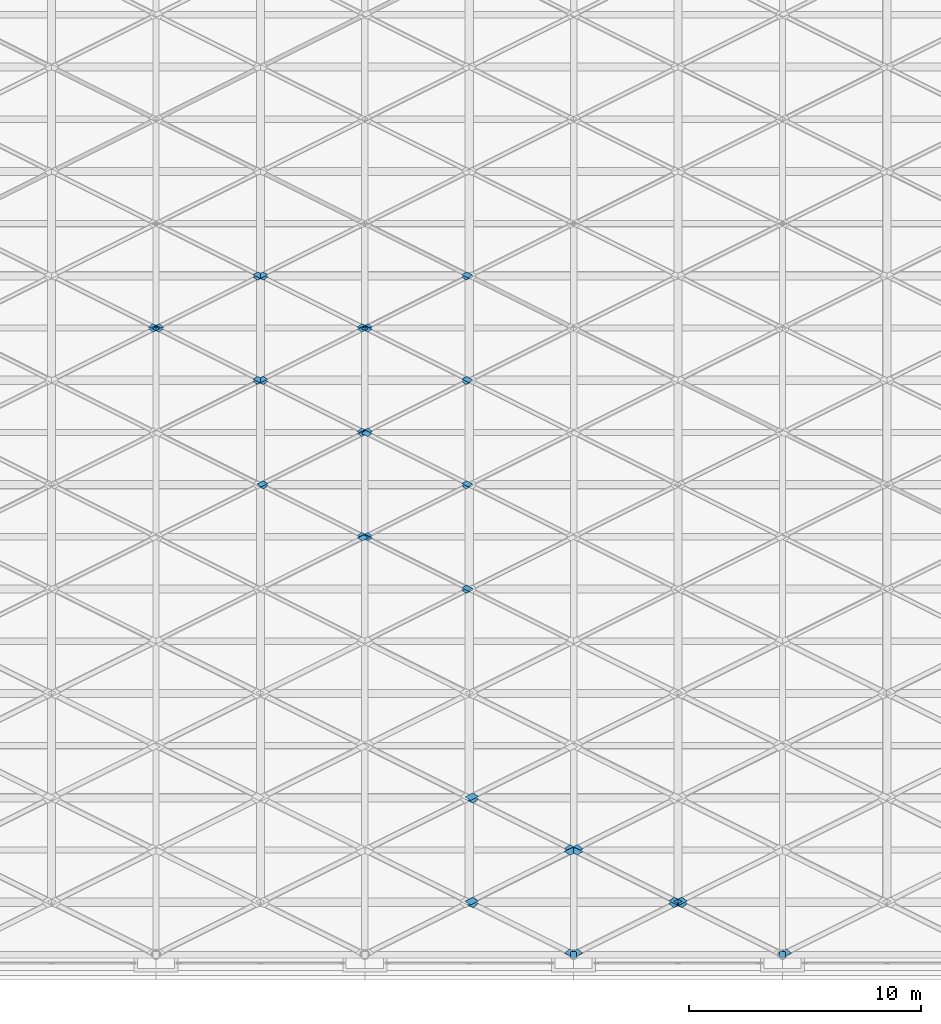
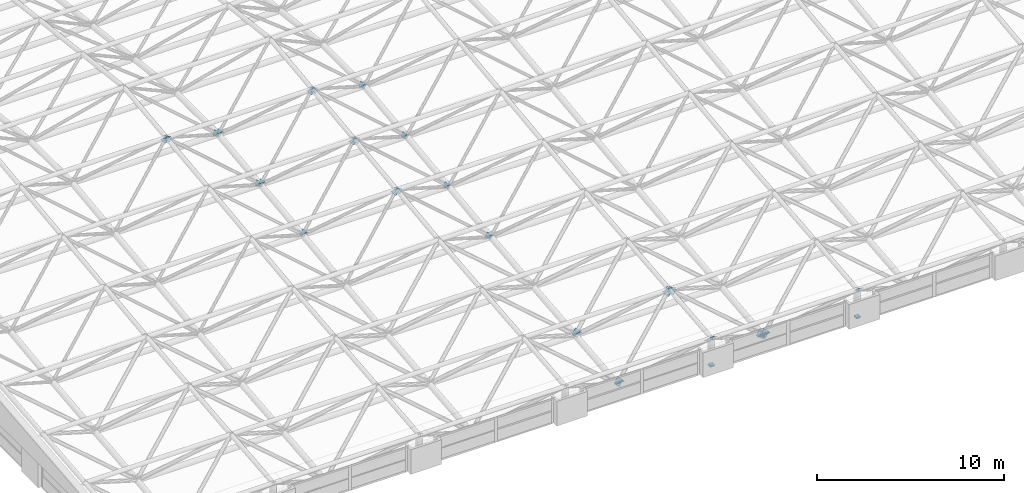
# One storey, part 30 of 53: 51 discrete accessories.
"""IFC4 building model written with IfcOpenShell, lengths in metres."""

from ifc_helpers import new_model, si_unit, direction, frame, origin, origin_2d, place, context, subcontext, project, spatial, polyline, rectangle, outline, extrude, material, layer, layer_set, type_object, element, save


model = new_model("IFC4")

# Units and contexts
model_context = context("Model", 3, precision=1e-05, world=origin(), true_north=direction((0.0, 1.0)))
body_context = subcontext(model_context, "Body", "Model", "MODEL_VIEW")
ifc_project = project(units=[si_unit("LENGTHUNIT", "METRE"), si_unit("AREAUNIT", "SQUARE_METRE"), si_unit("VOLUMEUNIT", "CUBIC_METRE"), si_unit("PLANEANGLEUNIT", "RADIAN"), si_unit("MASSUNIT", "GRAM", prefix="KILO")], contexts=[model_context])

# Site, building, storey
site_placement = place(None, origin())
site = spatial("IfcSite", under=ifc_project, at=site_placement, CompositionType="ELEMENT")
building_placement = place(site_placement, origin())
building = spatial("IfcBuilding", under=site, at=building_placement, Name="Aravalli Gate Trade Fair Centre", CompositionType="ELEMENT")
storey_placement = place(building_placement, frame((0.0, 0.0, 25.199951171875)))
storey = spatial("IfcBuildingStorey", under=building, at=storey_placement, Name="ROOF LEVEL 2", CompositionType="ELEMENT", Elevation=25.199951171875)

# Discrete accessories
ifc_material = material(Name="Steel E350", Category="steel")
discrete_accessory_type_1 = type_object("IfcDiscreteAccessoryType", Name="Bearing shoe fixed", PredefinedType="BRACKET", material=ifc_material)
discrete_accessory_1_placement = place(storey_placement, frame((42.0, 46.0, 0.0), z_axis=(0.0, 0.0, 1.0), x_axis=(1.0, 0.0, 0.0)))
element("IfcDiscreteAccessory", 1, at=discrete_accessory_1_placement, inside=storey, type_object=discrete_accessory_type_1, Name="Bearing shoe A5 (fixed)", PredefinedType="BRACKET", context=body_context, shape_type="SweptSolid", body=[
    extrude(rectangle(XDim=0.260009765625, YDim=0.260009765625, at=origin_2d()), origin(), (0.0, 0.0, 1.0), 0.10009765625),
])
discrete_accessory_type_2 = type_object("IfcDiscreteAccessoryType", Name="Bearing shoe slotted at the movement joint", PredefinedType="BRACKET", material=ifc_material)
discrete_accessory_2_placement = place(storey_placement, frame((51.0, 46.0, 0.0), z_axis=(0.0, 0.0, 1.0), x_axis=(1.0, 0.0, 0.0)))
element("IfcDiscreteAccessory", 2, at=discrete_accessory_2_placement, inside=storey, type_object=discrete_accessory_type_2, Name="Bearing shoe A6 (slotted)", PredefinedType="BRACKET", context=body_context, shape_type="SweptSolid", body=[
    extrude(rectangle(XDim=0.260009765625, YDim=0.260009765625, at=origin_2d()), origin(), (0.0, 0.0, 1.0), 0.10009765625),
])
ifc_layer_1 = layer(ifc_material, 0.011962890625)
ifc_layer_set_1 = layer_set([ifc_layer_1], Name="Steel E350")
discrete_accessory_type_3 = type_object("IfcDiscreteAccessoryType", Name="Gusset plate 291 x 291 x 12", PredefinedType="USERDEFINED", material=ifc_layer_set_1)
discrete_accessory_3_placement = place(storey_placement, frame((37.181884765625, 61.713134765625, 0.479248046875), z_axis=(0.000260921892, 0.770886805608, 0.636972106814), x_axis=(0.786233024012, 0.393446097564, -0.476484837392)))
element("IfcDiscreteAccessory", 3, at=discrete_accessory_3_placement, inside=storey, type_object=discrete_accessory_type_3, Name="Gusset plate Space frame web diagonal D2A end B", ObjectType="GUSSET PLATE", PredefinedType="USERDEFINED", context=body_context, shape_type="SweptSolid", body=[
    extrude(outline(polyline([(0.0, 0.0), (0.3704496717105797, -1.3877787807814457e-17), (0.37041105616888137, -0.29044341854454775), (-0.00023056696357631745, -0.2902925567125407), (0.0, 0.0)])), origin(), (0.0, 0.0, -1.0), 0.011962890625),
])
discrete_accessory_4_placement = place(storey_placement, frame((33.138916015625, 64.191650390625, 3.477294921875), z_axis=(-6.9765199e-05, 0.771154883137, 0.636647580178), x_axis=(-0.786484474244, -0.393242254842, 0.476238071536)))
element("IfcDiscreteAccessory", 4, at=discrete_accessory_4_placement, inside=storey, type_object=discrete_accessory_type_3, Name="Gusset plate Space frame web diagonal D2A end A", ObjectType="GUSSET PLATE", PredefinedType="USERDEFINED", context=body_context, shape_type="SweptSolid", body=[
    extrude(outline(polyline([(0.0, 0.0), (0.37064165383501635, -1.3877787807814457e-17), (0.3706783195979393, 0.29059144692340316), (0.00022867857401766278, 0.2904406632211646), (0.0, 0.0)])), origin(), (0.0, 0.0, -1.0), 0.011962890625),
])
discrete_accessory_5_placement = place(storey_placement, frame((37.181884765625, 66.213134765625, 1.029052734375), z_axis=(-6.9765199e-05, 0.771154883137, 0.636647580178), x_axis=(0.786233023991, 0.393446013556, -0.476484906794)))
element("IfcDiscreteAccessory", 5, at=discrete_accessory_5_placement, inside=storey, type_object=discrete_accessory_type_3, Name="Gusset plate Space frame web diagonal D2A end B", ObjectType="GUSSET PLATE", PredefinedType="USERDEFINED", context=body_context, shape_type="SweptSolid", body=[
    extrude(outline(polyline([(0.0, 0.0), (0.37044967171058096, -2.7755575615628914e-17), (0.3702947268495056, -0.290591407927876), (-0.0003468962829482891, -0.29044054608337494), (0.0, 0.0)])), origin(), (0.0, 0.0, -1.0), 0.011962890625),
])
discrete_accessory_6_placement = place(storey_placement, frame((32.681884765625, 64.046142578125, 3.653564453125), z_axis=(6.9765199e-05, 0.771154883137, 0.636647580178), x_axis=(0.786233023991, -0.393446013556, 0.476484906794)))
element("IfcDiscreteAccessory", 6, at=discrete_accessory_6_placement, inside=storey, type_object=discrete_accessory_type_3, Name="Gusset plate Space frame web diagonal D2B end A", ObjectType="GUSSET PLATE", PredefinedType="USERDEFINED", context=body_context, shape_type="SweptSolid", body=[
    extrude(outline(polyline([(0.0, 0.0), (0.37044967171058096, 2.7755575615628914e-17), (0.3702947268495056, 0.290591407927876), (-0.0003468962829482891, 0.29044054608337494), (0.0, 0.0)])), origin(), (0.0, 0.0, -1.0), 0.011962890625),
])
discrete_accessory_7_placement = place(storey_placement, frame((28.638916015625, 66.067626953125, 1.205322265625), z_axis=(6.9765199e-05, 0.771154883137, 0.636647580178), x_axis=(-0.786484474244, 0.393242254842, -0.476238071536)))
element("IfcDiscreteAccessory", 7, at=discrete_accessory_7_placement, inside=storey, type_object=discrete_accessory_type_3, Name="Gusset plate Space frame web diagonal D2B end B", ObjectType="GUSSET PLATE", PredefinedType="USERDEFINED", context=body_context, shape_type="SweptSolid", body=[
    extrude(outline(polyline([(0.0, 0.0), (0.37064165383501635, 1.3877787807814457e-17), (0.3706783195979393, -0.29059144692340316), (0.00022867857401766278, -0.2904406632211646), (0.0, 0.0)])), origin(), (0.0, 0.0, -1.0), 0.011962890625),
])
discrete_accessory_8_placement = place(storey_placement, frame((33.12158203125, 63.824462890625, 3.455078125), z_axis=(-5.9235462e-05, -0.824355565608, 0.566072343383), x_axis=(-0.74910175115, 0.37503400761, 0.546073309694)))
element("IfcDiscreteAccessory", 8, at=discrete_accessory_8_placement, inside=storey, type_object=discrete_accessory_type_3, Name="Gusset plate Space frame web diagonal D2C end A", ObjectType="GUSSET PLATE", PredefinedType="USERDEFINED", context=body_context, shape_type="SweptSolid", body=[
    extrude(outline(polyline([(0.0, 0.0), (0.37056099002046733, -1.3877787807814457e-17), (0.3708571273038952, -0.29037522366126584), (0.00024656979283793623, -0.29068772448272373), (0.0, 0.0)])), origin(), (0.0, 0.0, -1.0), 0.011962890625),
])
discrete_accessory_9_placement = place(storey_placement, frame((37.18603515625, 61.792236328125, 0.4970703125), z_axis=(-0.000338926475, -0.824215745649, 0.566275807141), x_axis=(0.749929468437, -0.374811008577, -0.545089442403)))
element("IfcDiscreteAccessory", 9, at=discrete_accessory_9_placement, inside=storey, type_object=discrete_accessory_type_3, Name="Gusset plate Space frame web diagonal D2C end B", ObjectType="GUSSET PLATE", PredefinedType="USERDEFINED", context=body_context, shape_type="SweptSolid", body=[
    extrude(outline(polyline([(0.0, 0.0), (0.3704775800363668, 1.3877787807814457e-17), (0.37054452148215117, 0.29037536695413646), (0.00011695121776518491, 0.29068780553250784), (0.0, 0.0)])), origin(), (0.0, 0.0, -1.0), 0.011962890625),
])
discrete_accessory_10_placement = place(storey_placement, frame((33.12158203125, 68.324462890625, 4.005126953125), z_axis=(-5.9235462e-05, -0.824355565608, 0.566072343383), x_axis=(-0.74937131646, 0.374861397834, 0.545821914622)))
element("IfcDiscreteAccessory", 10, at=discrete_accessory_10_placement, inside=storey, type_object=discrete_accessory_type_3, Name="Gusset plate Space frame web diagonal D2C end A", ObjectType="GUSSET PLATE", PredefinedType="USERDEFINED", context=body_context, shape_type="SweptSolid", body=[
    extrude(outline(polyline([(0.0, 0.0), (0.3704277020236978, 0.0), (0.37073891027907924, -0.290526143046557), (-5.001029550574798e-06, -0.29053697785674903), (0.0, 0.0)])), origin(), (0.0, 0.0, -1.0), 0.011962890625),
])
discrete_accessory_11_placement = place(storey_placement, frame((37.18603515625, 66.292236328125, 1.047119140625), z_axis=(-0.000356491483, -0.824386555112, 0.566027102411), x_axis=(0.749660046124, -0.374830119882, -0.545446786108)))
element("IfcDiscreteAccessory", 11, at=discrete_accessory_11_placement, inside=storey, type_object=discrete_accessory_type_3, Name="Gusset plate Space frame web diagonal D2C end B", ObjectType="GUSSET PLATE", PredefinedType="USERDEFINED", context=body_context, shape_type="SweptSolid", body=[
    extrude(outline(polyline([(0.0, 0.0), (0.37061069570280314, 0.0), (0.3704262257769532, 0.2905262593825685), (-1.4474536517566916e-06, 0.29068783726431885), (0.0, 0.0)])), origin(), (0.0, 0.0, -1.0), 0.011962890625),
])
discrete_accessory_12_placement = place(storey_placement, frame((32.68603515625, 63.94775390625, 3.634765625), z_axis=(5.9235462e-05, -0.824355565608, 0.566072343383), x_axis=(0.749660070237, 0.374676343996, 0.545552395598)))
element("IfcDiscreteAccessory", 12, at=discrete_accessory_12_placement, inside=storey, type_object=discrete_accessory_type_3, Name="Gusset plate Space frame web diagonal D2D end A", ObjectType="GUSSET PLATE", PredefinedType="USERDEFINED", context=body_context, shape_type="SweptSolid", body=[
    extrude(outline(polyline([(0.0, 0.0), (0.3706106892622231, -1.3877787807814457e-17), (0.3705593979521325, -0.2903753701380719), (-1.4603348369723879e-06, -0.29068782905287593), (0.0, 0.0)])), origin(), (0.0, 0.0, -1.0), 0.011962890625),
])
discrete_accessory_13_placement = place(storey_placement, frame((32.68603515625, 68.44775390625, 4.1845703125), z_axis=(5.9235462e-05, -0.824355565608, 0.566072343383), x_axis=(0.749390667151, 0.374849001628, 0.545803860343)))
element("IfcDiscreteAccessory", 13, at=discrete_accessory_13_placement, inside=storey, type_object=discrete_accessory_type_3, Name="Gusset plate Space frame web diagonal D2D end A", ObjectType="GUSSET PLATE", PredefinedType="USERDEFINED", context=body_context, shape_type="SweptSolid", body=[
    extrude(outline(polyline([(0.0, 0.0), (0.37074391146695085, 0.0), (0.3704411936966931, -0.2905261520174016), (1.3491831181253189e-05, -0.2905369775865267), (0.0, 0.0)])), origin(), (0.0, 0.0, -1.0), 0.011962890625),
])
discrete_accessory_14_placement = place(storey_placement, frame((28.62158203125, 66.41552734375, 1.226806640625), z_axis=(0.000356491483, -0.824386555112, 0.566027102411), x_axis=(-0.749371292409, -0.375015088164, -0.54571636384)))
element("IfcDiscreteAccessory", 14, at=discrete_accessory_14_placement, inside=storey, type_object=discrete_accessory_type_3, Name="Gusset plate Space frame web diagonal D2D end B", ObjectType="GUSSET PLATE", PredefinedType="USERDEFINED", context=body_context, shape_type="SweptSolid", body=[
    extrude(outline(polyline([(0.0, 0.0), (0.3704277084701571, 1.3877787807814457e-17), (0.3707389038272042, 0.29052615127976134), (0.00012824338136119273, 0.2906878089792164), (0.0, 0.0)])), origin(), (0.0, 0.0, -1.0), 0.011962890625),
])
discrete_accessory_15_placement = place(storey_placement, frame((28.181884765625, 70.713134765625, 1.574462890625), z_axis=(0.000589123978, 0.771792295466, 0.635874441689), x_axis=(0.785942550469, 0.392803472142, -0.477493182816)))
element("IfcDiscreteAccessory", 15, at=discrete_accessory_15_placement, inside=storey, type_object=discrete_accessory_type_3, Name="Gusset plate Space frame web diagonal D3A end B", ObjectType="GUSSET PLATE", PredefinedType="USERDEFINED", context=body_context, shape_type="SweptSolid", body=[
    extrude(outline(polyline([(0.0, 0.0), (0.3705866429803553, -2.7755575615628914e-17), (0.37039124031354775, -0.29046920151748473), (-7.882718272163303e-05, -0.29032116611826925), (0.0, 0.0)])), origin(), (0.0, 0.0, -1.0), 0.011962890625),
])
discrete_accessory_16_placement = place(storey_placement, frame((33.138671875, 68.69140625, 4.027099609375), z_axis=(0.000259688153, 0.77158167438, 0.636130216483), x_axis=(-0.786189750281, -0.392961505637, 0.476955901148)))
element("IfcDiscreteAccessory", 16, at=discrete_accessory_16_placement, inside=storey, type_object=discrete_accessory_type_3, Name="Gusset plate Space frame web diagonal D3A end A", ObjectType="GUSSET PLATE", PredefinedType="USERDEFINED", context=body_context, shape_type="SweptSolid", body=[
    extrude(outline(polyline([(0.0, 0.0), (0.37047009323158403, -1.3877787807814457e-17), (0.3706453255393415, 0.29059138113822636), (7.929444017017173e-05, 0.29046925152010133), (0.0, 0.0)])), origin(), (0.0, 0.0, -1.0), 0.011962890625),
])
discrete_accessory_17_placement = place(storey_placement, frame((37.181884765625, 70.713134765625, 1.574462890625), z_axis=(0.000589123978, 0.771792295466, 0.635874441689), x_axis=(0.785942550469, 0.392803472142, -0.477493182816)))
element("IfcDiscreteAccessory", 17, at=discrete_accessory_17_placement, inside=storey, type_object=discrete_accessory_type_3, Name="Gusset plate Space frame web diagonal D3A end B", ObjectType="GUSSET PLATE", PredefinedType="USERDEFINED", context=body_context, shape_type="SweptSolid", body=[
    extrude(outline(polyline([(0.0, 0.0), (0.3705866429803553, -2.7755575615628914e-17), (0.37039124031354775, -0.29046920151748473), (-7.882718272163303e-05, -0.29032116611826925), (0.0, 0.0)])), origin(), (0.0, 0.0, -1.0), 0.011962890625),
])
discrete_accessory_18_placement = place(storey_placement, frame((24.138671875, 73.19140625, 4.567138671875), z_axis=(0.000259688153, 0.77158167438, 0.636130216483), x_axis=(-0.786189750281, -0.392961505637, 0.476955901148)))
element("IfcDiscreteAccessory", 18, at=discrete_accessory_18_placement, inside=storey, type_object=discrete_accessory_type_3, Name="Gusset plate Space frame web diagonal D3A end A", ObjectType="GUSSET PLATE", PredefinedType="USERDEFINED", context=body_context, shape_type="SweptSolid", body=[
    extrude(outline(polyline([(0.0, 0.0), (0.37047009323158403, -1.3877787807814457e-17), (0.3706453255393415, 0.29059138113822636), (7.929444017017173e-05, 0.29046925152010133), (0.0, 0.0)])), origin(), (0.0, 0.0, -1.0), 0.011962890625),
])
discrete_accessory_19_placement = place(storey_placement, frame((28.181884765625, 75.213134765625, 2.1142578125), z_axis=(0.000259222443, 0.771843687699, 0.635812279342), x_axis=(0.78618965885, 0.392765328311, -0.477117613586)))
element("IfcDiscreteAccessory", 19, at=discrete_accessory_19_placement, inside=storey, type_object=discrete_accessory_type_3, Name="Gusset plate Space frame web diagonal D3A end B", ObjectType="GUSSET PLATE", PredefinedType="USERDEFINED", context=body_context, shape_type="SweptSolid", body=[
    extrude(outline(polyline([(0.0, 0.0), (0.3704701052045229, -2.7755575615628914e-17), (0.3703907868210381, -0.2904692667840814), (-7.931838348480824e-05, -0.2904692667840814), (0.0, 0.0)])), origin(), (0.0, 0.0, -1.0), 0.011962890625),
])
discrete_accessory_20_placement = place(storey_placement, frame((33.138671875, 73.19140625, 4.567138671875), z_axis=(0.000259688153, 0.77158167438, 0.636130216483), x_axis=(-0.786189750281, -0.392961505637, 0.476955901148)))
element("IfcDiscreteAccessory", 20, at=discrete_accessory_20_placement, inside=storey, type_object=discrete_accessory_type_3, Name="Gusset plate Space frame web diagonal D3A end A", ObjectType="GUSSET PLATE", PredefinedType="USERDEFINED", context=body_context, shape_type="SweptSolid", body=[
    extrude(outline(polyline([(0.0, 0.0), (0.37047009323158403, -1.3877787807814457e-17), (0.3706453255393415, 0.29059138113822636), (7.929444017017173e-05, 0.29046925152010133), (0.0, 0.0)])), origin(), (0.0, 0.0, -1.0), 0.011962890625),
])
discrete_accessory_21_placement = place(storey_placement, frame((37.181884765625, 75.213134765625, 2.1142578125), z_axis=(0.000259222443, 0.771843687699, 0.635812279342), x_axis=(0.78618965885, 0.392765328311, -0.477117613586)))
element("IfcDiscreteAccessory", 21, at=discrete_accessory_21_placement, inside=storey, type_object=discrete_accessory_type_3, Name="Gusset plate Space frame web diagonal D3A end B", ObjectType="GUSSET PLATE", PredefinedType="USERDEFINED", context=body_context, shape_type="SweptSolid", body=[
    extrude(outline(polyline([(0.0, 0.0), (0.3704701052045229, -2.7755575615628914e-17), (0.3703907868210381, -0.2904692667840814), (-7.931838348480824e-05, -0.2904692667840814), (0.0, 0.0)])), origin(), (0.0, 0.0, -1.0), 0.011962890625),
])
discrete_accessory_22_placement = place(storey_placement, frame((32.681884765625, 68.546142578125, 4.203369140625), z_axis=(-0.000259688153, 0.77158167438, 0.636130216483), x_axis=(0.785986034617, -0.393126352276, 0.477155765483)))
element("IfcDiscreteAccessory", 22, at=discrete_accessory_22_placement, inside=storey, type_object=discrete_accessory_type_3, Name="Gusset plate Space frame web diagonal D3B end A", ObjectType="GUSSET PLATE", PredefinedType="USERDEFINED", context=body_context, shape_type="SweptSolid", body=[
    extrude(outline(polyline([(0.0, 0.0), (0.3705660512246577, 1.3877787807814457e-17), (0.3702950470274762, 0.2905913076038385), (-0.0001750260838329909, 0.2904692096111498), (0.0, 0.0)])), origin(), (0.0, 0.0, -1.0), 0.011962890625),
])
discrete_accessory_23_placement = place(storey_placement, frame((28.638671875, 70.56787109375, 1.75048828125), z_axis=(-0.000589123978, 0.771792295466, 0.635874441689), x_axis=(-0.786189552673, 0.392603629975, -0.477250853324)))
element("IfcDiscreteAccessory", 23, at=discrete_accessory_23_placement, inside=storey, type_object=discrete_accessory_type_3, Name="Gusset plate Space frame web diagonal D3B end B", ObjectType="GUSSET PLATE", PredefinedType="USERDEFINED", context=body_context, shape_type="SweptSolid", body=[
    extrude(outline(polyline([(0.0, 0.0), (0.3704700970728539, 1.3877787807814457e-17), (0.37054943172141785, -0.29046925640835186), (-3.7181673048419794e-05, -0.2903211744387922), (0.0, 0.0)])), origin(), (0.0, 0.0, -1.0), 0.011962890625),
])
for number, where, z_axis, x_axis, name in (
    (24, (23.681884765625, 73.046142578125, 4.743408203125), (-0.000259688153, 0.77158167438, 0.636130216483), (0.785986034617, -0.393126352276, 0.477155765483), "Gusset plate Space frame web diagonal D3B end A"),
    (25, (32.681884765625, 73.046142578125, 4.743408203125), (-0.000259688153, 0.77158167438, 0.636130216483), (0.785986034617, -0.393126352276, 0.477155765483), "Gusset plate Space frame web diagonal D3B end A"),
):
    element("IfcDiscreteAccessory", number, at=place(storey_placement, frame(where, z_axis=z_axis, x_axis=x_axis)), inside=storey, type_object=discrete_accessory_type_3, Name=name, ObjectType="GUSSET PLATE", PredefinedType="USERDEFINED", context=body_context, shape_type="SweptSolid", body=[
        extrude(outline(polyline([(0.0, 0.0), (0.3705660512246577, 1.3877787807814457e-17), (0.3702950470274762, 0.2905913076038385), (-0.0001750260838329909, 0.2904692096111498), (0.0, 0.0)])), origin(), (0.0, 0.0, -1.0), 0.011962890625),
    ])
discrete_accessory_24_placement = place(storey_placement, frame((28.638671875, 75.06787109375, 2.29052734375), z_axis=(-0.000259222443, 0.771843687699, 0.635812279342), x_axis=(-0.78618965885, 0.392765328311, -0.477117613586)))
element("IfcDiscreteAccessory", 26, at=discrete_accessory_24_placement, inside=storey, type_object=discrete_accessory_type_3, Name="Gusset plate Space frame web diagonal D3B end B", ObjectType="GUSSET PLATE", PredefinedType="USERDEFINED", context=body_context, shape_type="SweptSolid", body=[
    extrude(outline(polyline([(0.0, 0.0), (0.3704701052045229, 2.7755575615628914e-17), (0.3705494235880077, -0.29046926678408136), (7.931838348480824e-05, -0.2904692667840814), (0.0, 0.0)])), origin(), (0.0, 0.0, -1.0), 0.011962890625),
])
discrete_accessory_25_placement = place(storey_placement, frame((24.121826171875, 72.824462890625, 4.54541015625), z_axis=(0.000136804439, -0.823750482353, 0.566952488404), x_axis=(-0.749929392198, 0.374964696099, 0.54498383774)))
element("IfcDiscreteAccessory", 27, at=discrete_accessory_25_placement, inside=storey, type_object=discrete_accessory_type_3, Name="Gusset plate Space frame web diagonal D3C end A", ObjectType="GUSSET PLATE", PredefinedType="USERDEFINED", context=body_context, shape_type="SweptSolid", body=[
    extrude(outline(polyline([(0.0, 0.0), (0.37047758647752815, -1.3877787807814457e-17), (0.37050220203048867, -0.2904791260615137), (2.461555296055795e-05, -0.2904791260615137), (0.0, 0.0)])), origin(), (0.0, 0.0, -1.0), 0.011962890625),
])
discrete_accessory_26_placement = place(storey_placement, frame((28.18603515625, 70.792236328125, 1.592041015625), z_axis=(0.000136804439, -0.823750482353, 0.566952488404), x_axis=(0.749929392198, -0.374964696099, -0.54498383774)))
element("IfcDiscreteAccessory", 28, at=discrete_accessory_26_placement, inside=storey, type_object=discrete_accessory_type_3, Name="Gusset plate Space frame web diagonal D3C end B", ObjectType="GUSSET PLATE", PredefinedType="USERDEFINED", context=body_context, shape_type="SweptSolid", body=[
    extrude(outline(polyline([(0.0, 0.0), (0.37047758647752815, -1.3877787807814457e-17), (0.37045297092456764, 0.2904791260615137), (-2.461555296055795e-05, 0.2904791260615137), (0.0, 0.0)])), origin(), (0.0, 0.0, -1.0), 0.011962890625),
])
discrete_accessory_27_placement = place(storey_placement, frame((33.121826171875, 72.824462890625, 4.54541015625), z_axis=(0.000136804439, -0.823750482353, 0.566952488404), x_axis=(-0.749929392198, 0.374964696099, 0.54498383774)))
element("IfcDiscreteAccessory", 29, at=discrete_accessory_27_placement, inside=storey, type_object=discrete_accessory_type_3, Name="Gusset plate Space frame web diagonal D3C end A", ObjectType="GUSSET PLATE", PredefinedType="USERDEFINED", context=body_context, shape_type="SweptSolid", body=[
    extrude(outline(polyline([(0.0, 0.0), (0.37047758647752815, -1.3877787807814457e-17), (0.37050220203048867, -0.2904791260615137), (2.461555296055795e-05, -0.2904791260615137), (0.0, 0.0)])), origin(), (0.0, 0.0, -1.0), 0.011962890625),
])
for number, where, z_axis, x_axis, name in (
    (30, (37.18603515625, 70.792236328125, 1.592041015625), (0.000136804439, -0.823750482353, 0.566952488404), (0.749929392198, -0.374964696099, -0.54498383774), "Gusset plate Space frame web diagonal D3C end B"),
    (31, (28.18603515625, 75.292236328125, 2.132080078125), (0.000136804439, -0.823750482353, 0.566952488404), (0.749929392198, -0.374964696099, -0.54498383774), "Gusset plate Space frame web diagonal D3C end B"),
    (32, (37.18603515625, 75.292236328125, 2.132080078125), (0.000136804439, -0.823750482353, 0.566952488404), (0.749929392198, -0.374964696099, -0.54498383774), "Gusset plate Space frame web diagonal D3C end B"),
):
    element("IfcDiscreteAccessory", number, at=place(storey_placement, frame(where, z_axis=z_axis, x_axis=x_axis)), inside=storey, type_object=discrete_accessory_type_3, Name=name, ObjectType="GUSSET PLATE", PredefinedType="USERDEFINED", context=body_context, shape_type="SweptSolid", body=[
        extrude(outline(polyline([(0.0, 0.0), (0.37047758647752815, -1.3877787807814457e-17), (0.37045297092456764, 0.2904791260615137), (-2.461555296055795e-05, 0.2904791260615137), (0.0, 0.0)])), origin(), (0.0, 0.0, -1.0), 0.011962890625),
    ])
for number, where, z_axis, x_axis, name in (
    (33, (23.68603515625, 72.947998046875, 4.724853515625), (-0.000136804439, -0.823750482353, 0.566952488404), (0.749929392198, 0.374964696099, 0.54498383774), "Gusset plate Space frame web diagonal D3D end A"),
    (34, (32.68603515625, 72.947998046875, 4.724853515625), (-0.000136804439, -0.823750482353, 0.566952488404), (0.749929392198, 0.374964696099, 0.54498383774), "Gusset plate Space frame web diagonal D3D end A"),
):
    element("IfcDiscreteAccessory", number, at=place(storey_placement, frame(where, z_axis=z_axis, x_axis=x_axis)), inside=storey, type_object=discrete_accessory_type_3, Name=name, ObjectType="GUSSET PLATE", PredefinedType="USERDEFINED", context=body_context, shape_type="SweptSolid", body=[
        extrude(outline(polyline([(0.0, 0.0), (0.37047758647752815, 1.3877787807814457e-17), (0.37045297092456764, -0.2904791260615137), (-2.461555296055795e-05, -0.2904791260615137), (0.0, 0.0)])), origin(), (0.0, 0.0, -1.0), 0.011962890625),
    ])
for number, where, z_axis, x_axis, name in (
    (35, (28.621826171875, 70.915771484375, 1.771484375), (-0.000136804439, -0.823750482353, 0.566952488404), (-0.749929392198, -0.374964696099, -0.54498383774), "Gusset plate Space frame web diagonal D3D end B"),
    (36, (28.621826171875, 75.415771484375, 2.3115234375), (-0.000136804439, -0.823750482353, 0.566952488404), (-0.749929392198, -0.374964696099, -0.54498383774), "Gusset plate Space frame web diagonal D3D end B"),
):
    element("IfcDiscreteAccessory", number, at=place(storey_placement, frame(where, z_axis=z_axis, x_axis=x_axis)), inside=storey, type_object=discrete_accessory_type_3, Name=name, ObjectType="GUSSET PLATE", PredefinedType="USERDEFINED", context=body_context, shape_type="SweptSolid", body=[
        extrude(outline(polyline([(0.0, 0.0), (0.37047758647752815, 1.3877787807814457e-17), (0.37050220203048867, 0.2904791260615137), (2.461555296055795e-05, 0.2904791260615137), (0.0, 0.0)])), origin(), (0.0, 0.0, -1.0), 0.011962890625),
    ])
ifc_layer_2 = layer(ifc_material, 0.011962890625)
ifc_layer_set_2 = layer_set([ifc_layer_2], Name="Steel E350")
discrete_accessory_type_4 = type_object("IfcDiscreteAccessoryType", Name="Gusset plate 367 x 367 x 12", PredefinedType="USERDEFINED", material=ifc_layer_set_2)
discrete_accessory_28_placement = place(storey_placement, frame((42.173095703125, 46.23876953125, 1.51513671875), z_axis=(-0.000106895173, 0.77673595722, 0.629826358082), x_axis=(-0.783044443413, -0.391795440284, 0.483050445204)))
element("IfcDiscreteAccessory", 37, at=discrete_accessory_28_placement, inside=storey, type_object=discrete_accessory_type_4, Name="Gusset plate Space frame web diagonal D1A end A", ObjectType="GUSSET PLATE", PredefinedType="USERDEFINED", context=body_context, shape_type="SweptSolid", body=[
    extrude(outline(polyline([(0.0, 0.0), (0.4467862821424865, 0.0), (0.4467086389724838, 0.36691841645657763), (-7.764317000273635e-05, 0.36691841645657763), (0.0, 0.0)])), origin(), (0.0, 0.0, -1.0), 0.011962890625),
])
discrete_accessory_29_placement = place(storey_placement, frame((46.0986328125, 48.201416015625, -0.905517578125), z_axis=(-0.000106895173, 0.77673595722, 0.629826358082), x_axis=(0.783044443413, 0.391795440284, -0.483050445204)))
element("IfcDiscreteAccessory", 38, at=discrete_accessory_29_placement, inside=storey, type_object=discrete_accessory_type_4, Name="Gusset plate Space frame web diagonal D1A end B", ObjectType="GUSSET PLATE", PredefinedType="USERDEFINED", context=body_context, shape_type="SweptSolid", body=[
    extrude(outline(polyline([(0.0, 0.0), (0.4467862821424865, 0.0), (0.4468639253124893, -0.3669184164565776), (7.764317000273635e-05, -0.36691841645657763), (0.0, 0.0)])), origin(), (0.0, 0.0, -1.0), 0.011962890625),
])
for number, where, z_axis, x_axis, name in (
    (39, (51.173095703125, 46.23876953125, 1.51513671875), (-0.000106895173, 0.77673595722, 0.629826358082), (-0.783044443413, -0.391795440284, 0.483050445204), "Gusset plate Space frame web diagonal D1A end A"),
    (40, (42.173095703125, 50.73876953125, 1.965087890625), (-0.000106895173, 0.77673595722, 0.629826358082), (-0.783044443413, -0.391795440284, 0.483050445204), "Gusset plate Space frame web diagonal D1A end A"),
):
    element("IfcDiscreteAccessory", number, at=place(storey_placement, frame(where, z_axis=z_axis, x_axis=x_axis)), inside=storey, type_object=discrete_accessory_type_4, Name=name, ObjectType="GUSSET PLATE", PredefinedType="USERDEFINED", context=body_context, shape_type="SweptSolid", body=[
        extrude(outline(polyline([(0.0, 0.0), (0.4467862821424865, 0.0), (0.4467086389724838, 0.36691841645657763), (-7.764317000273635e-05, 0.36691841645657763), (0.0, 0.0)])), origin(), (0.0, 0.0, -1.0), 0.011962890625),
    ])
discrete_accessory_30_placement = place(storey_placement, frame((41.5986328125, 46.057861328125, 1.73828125), z_axis=(0.000106895173, 0.77673595722, 0.629826358082), x_axis=(0.783044443413, -0.391795440284, 0.483050445204)))
element("IfcDiscreteAccessory", 41, at=discrete_accessory_30_placement, inside=storey, type_object=discrete_accessory_type_4, Name="Gusset plate Space frame web diagonal D1B end A", ObjectType="GUSSET PLATE", PredefinedType="USERDEFINED", context=body_context, shape_type="SweptSolid", body=[
    extrude(outline(polyline([(0.0, 0.0), (0.4467862821424865, 0.0), (0.4468639253124893, 0.3669184164565776), (7.764317000273635e-05, 0.36691841645657763), (0.0, 0.0)])), origin(), (0.0, 0.0, -1.0), 0.011962890625),
])
for number, where, z_axis, x_axis, name in (
    (42, (37.673095703125, 48.0205078125, -0.682373046875), (0.000106895173, 0.77673595722, 0.629826358082), (-0.783044443413, 0.391795440284, -0.483050445204), "Gusset plate Space frame web diagonal D1B end B"),
    (43, (46.673095703125, 48.0205078125, -0.682373046875), (0.000106895173, 0.77673595722, 0.629826358082), (-0.783044443413, 0.391795440284, -0.483050445204), "Gusset plate Space frame web diagonal D1B end B"),
):
    element("IfcDiscreteAccessory", number, at=place(storey_placement, frame(where, z_axis=z_axis, x_axis=x_axis)), inside=storey, type_object=discrete_accessory_type_4, Name=name, ObjectType="GUSSET PLATE", PredefinedType="USERDEFINED", context=body_context, shape_type="SweptSolid", body=[
        extrude(outline(polyline([(0.0, 0.0), (0.4467862821424865, 0.0), (0.4467086389724838, -0.36691841645657763), (-7.764317000273635e-05, -0.36691841645657763), (0.0, 0.0)])), origin(), (0.0, 0.0, -1.0), 0.011962890625),
    ])
discrete_accessory_31_placement = place(storey_placement, frame((41.5986328125, 50.557861328125, 2.188232421875), z_axis=(0.000106895173, 0.77673595722, 0.629826358082), x_axis=(0.783044443413, -0.391795440284, 0.483050445204)))
element("IfcDiscreteAccessory", 44, at=discrete_accessory_31_placement, inside=storey, type_object=discrete_accessory_type_4, Name="Gusset plate Space frame web diagonal D1B end A", ObjectType="GUSSET PLATE", PredefinedType="USERDEFINED", context=body_context, shape_type="SweptSolid", body=[
    extrude(outline(polyline([(0.0, 0.0), (0.4467862821424865, 0.0), (0.4468639253124893, 0.3669184164565776), (7.764317000273635e-05, 0.36691841645657763), (0.0, 0.0)])), origin(), (0.0, 0.0, -1.0), 0.011962890625),
])
discrete_accessory_32_placement = place(storey_placement, frame((37.673095703125, 52.5205078125, -0.232421875), z_axis=(0.000106895173, 0.77673595722, 0.629826358082), x_axis=(-0.783044443413, 0.391795440284, -0.483050445204)))
element("IfcDiscreteAccessory", 45, at=discrete_accessory_32_placement, inside=storey, type_object=discrete_accessory_type_4, Name="Gusset plate Space frame web diagonal D1B end B", ObjectType="GUSSET PLATE", PredefinedType="USERDEFINED", context=body_context, shape_type="SweptSolid", body=[
    extrude(outline(polyline([(0.0, 0.0), (0.4467862821424865, 0.0), (0.4467086389724838, -0.36691841645657763), (-7.764317000273635e-05, -0.36691841645657763), (0.0, 0.0)])), origin(), (0.0, 0.0, -1.0), 0.011962890625),
])
discrete_accessory_33_placement = place(storey_placement, frame((42.155517578125, 50.278076171875, 1.9423828125), z_axis=(-0.000292195819, -0.820164189793, 0.572128146837), x_axis=(-0.753132087854, 0.376566043927, 0.539434956975)))
element("IfcDiscreteAccessory", 46, at=discrete_accessory_33_placement, inside=storey, type_object=discrete_accessory_type_4, Name="Gusset plate Space frame web diagonal D1C end A", ObjectType="GUSSET PLATE", PredefinedType="USERDEFINED", context=body_context, shape_type="SweptSolid", body=[
    extrude(outline(polyline([(0.0, 0.0), (0.4467022275054028, -2.7755575615628914e-17), (0.4467362528213333, -0.36669377191730207), (3.402531593046931e-05, -0.366693771917302), (0.0, 0.0)])), origin(), (0.0, 0.0, -1.0), 0.011962890625),
])
discrete_accessory_34_placement = place(storey_placement, frame((46.103271484375, 48.30419921875, -0.886962890625), z_axis=(-0.000292195819, -0.820164189793, 0.572128146837), x_axis=(0.753132087854, -0.376566043927, -0.539434956975)))
element("IfcDiscreteAccessory", 47, at=discrete_accessory_34_placement, inside=storey, type_object=discrete_accessory_type_4, Name="Gusset plate Space frame web diagonal D1C end B", ObjectType="GUSSET PLATE", PredefinedType="USERDEFINED", context=body_context, shape_type="SweptSolid", body=[
    extrude(outline(polyline([(0.0, 0.0), (0.4467022275054028, -2.7755575615628914e-17), (0.4466682021894723, 0.366693771917302), (-3.402531593046931e-05, 0.366693771917302), (0.0, 0.0)])), origin(), (0.0, 0.0, -1.0), 0.011962890625),
])
discrete_accessory_35_placement = place(storey_placement, frame((41.603271484375, 50.43603515625, 2.1689453125), z_axis=(0.000292195819, -0.820164189793, 0.572128146837), x_axis=(0.753132087854, 0.376566043927, 0.539434956975)))
element("IfcDiscreteAccessory", 48, at=discrete_accessory_35_placement, inside=storey, type_object=discrete_accessory_type_4, Name="Gusset plate Space frame web diagonal D1D end A", ObjectType="GUSSET PLATE", PredefinedType="USERDEFINED", context=body_context, shape_type="SweptSolid", body=[
    extrude(outline(polyline([(0.0, 0.0), (0.4467022275054028, 2.7755575615628914e-17), (0.4466682021894723, -0.366693771917302), (-3.402531593046931e-05, -0.366693771917302), (0.0, 0.0)])), origin(), (0.0, 0.0, -1.0), 0.011962890625),
])
for number, where, z_axis, x_axis, name in (
    (49, (37.655517578125, 48.462158203125, -0.660400390625), (0.000292195819, -0.820164189793, 0.572128146837), (-0.753132087854, -0.376566043927, -0.539434956975), "Gusset plate Space frame web diagonal D1D end B"),
    (50, (46.655517578125, 48.462158203125, -0.660400390625), (0.000292195819, -0.820164189793, 0.572128146837), (-0.753132087854, -0.376566043927, -0.539434956975), "Gusset plate Space frame web diagonal D1D end B"),
):
    element("IfcDiscreteAccessory", number, at=place(storey_placement, frame(where, z_axis=z_axis, x_axis=x_axis)), inside=storey, type_object=discrete_accessory_type_4, Name=name, ObjectType="GUSSET PLATE", PredefinedType="USERDEFINED", context=body_context, shape_type="SweptSolid", body=[
        extrude(outline(polyline([(0.0, 0.0), (0.4467022275054028, 2.7755575615628914e-17), (0.4467362528213333, 0.36669377191730207), (3.402531593046931e-05, 0.366693771917302), (0.0, 0.0)])), origin(), (0.0, 0.0, -1.0), 0.011962890625),
    ])
discrete_accessory_36_placement = place(storey_placement, frame((37.655517578125, 52.962158203125, -0.21044921875), z_axis=(4.9126691e-05, -0.820140995503, 0.572161467667), x_axis=(-0.753132104741, -0.376437815746, -0.539524423623)))
element("IfcDiscreteAccessory", 51, at=discrete_accessory_36_placement, inside=storey, type_object=discrete_accessory_type_4, Name="Gusset plate Space frame web diagonal D1D end B", ObjectType="GUSSET PLATE", PredefinedType="USERDEFINED", context=body_context, shape_type="SweptSolid", body=[
    extrude(outline(polyline([(0.0, 0.0), (0.4467022220451944, 0.0), (0.44673625828195757, 0.3666937652647241), (-9.768359322287479e-05, 0.3665429613078708), (0.0, 0.0)])), origin(), (0.0, 0.0, -1.0), 0.011962890625),
])

save(model, "model.ifc")
